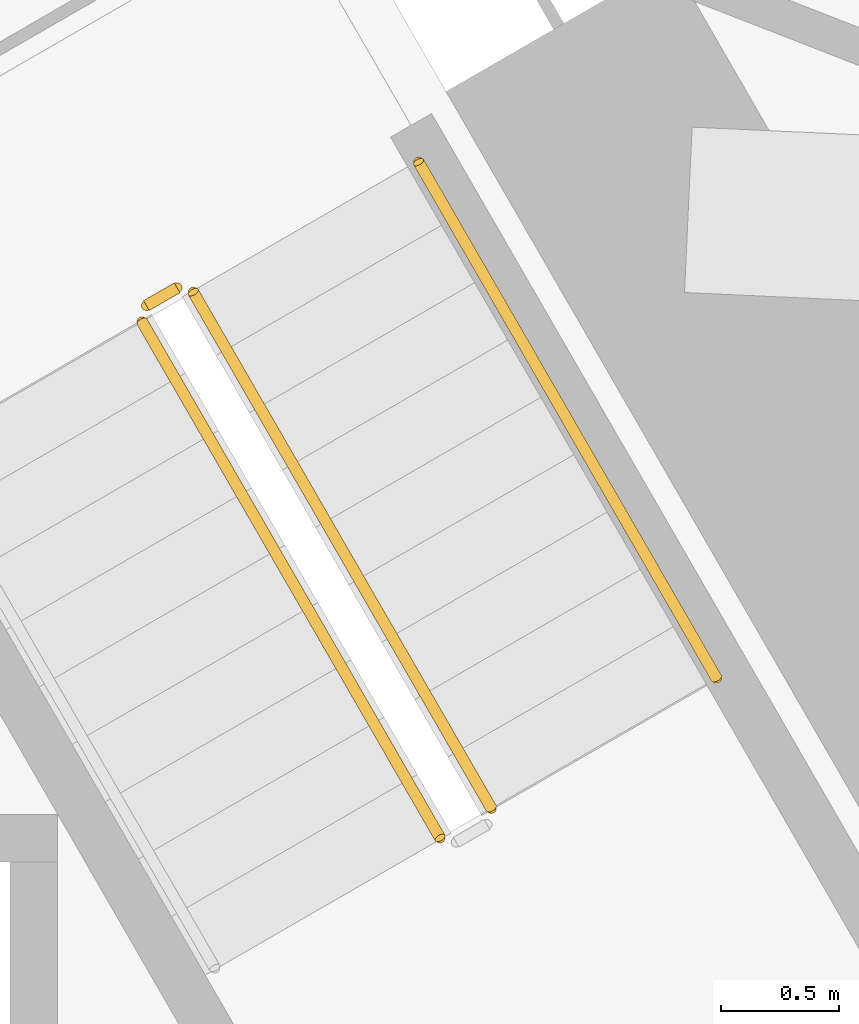
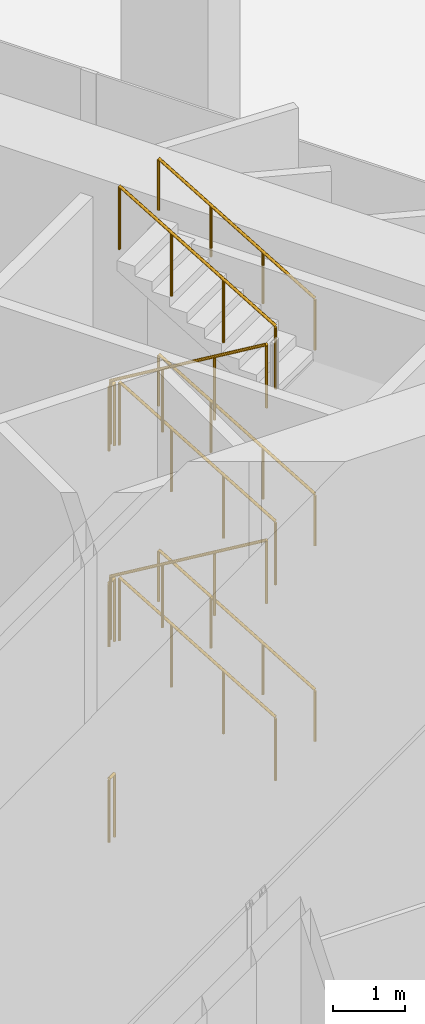
# One storey, part 12 of 13: 11 railings.
"""IFC4 building model written with IfcOpenShell, lengths in metres."""

from ifc_helpers import new_model, si_unit, direction, frame, origin, origin_2d, place, context, subcontext, project, spatial, circle, extrude, material, type_object, element, save


model = new_model("IFC4")

# Units and contexts
model_context = context("Model", 3, precision=1e-05, world=origin(), true_north=direction((0.0, 1.0)))
body_context = subcontext(model_context, "Body", "Model", "MODEL_VIEW")
ifc_project = project(units=[si_unit("LENGTHUNIT", "METRE"), si_unit("AREAUNIT", "SQUARE_METRE"), si_unit("VOLUMEUNIT", "CUBIC_METRE"), si_unit("PLANEANGLEUNIT", "RADIAN"), si_unit("MASSUNIT", "GRAM", prefix="KILO")], contexts=[model_context])

# Site, building, storey
site_placement = place(None, origin())
site = spatial("IfcSite", under=ifc_project, at=site_placement, CompositionType="ELEMENT")
building_placement = place(site_placement, origin())
building = spatial("IfcBuilding", under=site, at=building_placement, Name="Tramontana Tower", CompositionType="ELEMENT")
storey_placement = place(building_placement, origin())
storey = spatial("IfcBuildingStorey", under=building, at=storey_placement, Name="L00", CompositionType="ELEMENT", Elevation=0.0)

# Railings
ifc_material_1 = material(Name="Painted steel", Category="steel")
railing_type_1 = type_object("IfcRailingType", Name="STAIR GUARD 1100", PredefinedType="GUARDRAIL", material=ifc_material_1)
railing_1_placement = place(storey_placement, frame((6.6240234375, -2.873046875, 1.833251953125)))
element("IfcRailing", 1, at=railing_1_placement, inside=storey, type_object=railing_type_1, Name="L00 ST3 stair guard 2", PredefinedType="GUARDRAIL", context=body_context, shape_type="SweptSolid", body=[
    extrude(circle(Radius=0.02392578125, at=origin_2d()), frame((0.0, 0.0, 1.076171875), z_axis=(-0.429650353548, 0.744166733262, 0.51148455187), x_axis=(-0.866022637375, -0.500004791531, 0.0)), (0.0, 0.0, 1.0), 2.9326171875),
    extrude(circle(Radius=0.02099609375, at=origin_2d()), origin(), (0.0, 0.0, 1.0), 1.052001953125),
    extrude(circle(Radius=0.02099609375, at=origin_2d()), frame((-0.419921875, 0.7275390625, 0.5)), (0.0, 0.0, 1.0), 1.052001953125),
    extrude(circle(Radius=0.02099609375, at=origin_2d()), frame((-0.840087890625, 1.454833984375, 1.0)), (0.0, 0.0, 1.0), 1.052001953125),
    extrude(circle(Radius=0.02099609375, at=origin_2d()), frame((-1.260009765625, 2.182373046875, 1.5)), (0.0, 0.0, 1.0), 1.052001953125),
])
railing_2_placement = place(storey_placement, frame((5.1474609375, -0.815673828125, 3.5)))
element("IfcRailing", 2, at=railing_2_placement, inside=storey, type_object=railing_type_1, Name="L00 ST3 stair guard 3", PredefinedType="GUARDRAIL", context=body_context, shape_type="SweptSolid", body=[
    extrude(circle(Radius=0.02392578125, at=origin_2d()), frame((0.0, 0.0, 1.076171875), z_axis=(0.429650353548, -0.744166733262, 0.51148455187), x_axis=(0.866022637375, 0.500004791531, 0.0)), (0.0, 0.0, 1.0), 2.9326171875),
    extrude(circle(Radius=0.02099609375, at=origin_2d()), origin(), (0.0, 0.0, 1.0), 1.052001953125),
    extrude(circle(Radius=0.02099609375, at=origin_2d()), frame((0.419921875, -0.7275390625, 0.5)), (0.0, 0.0, 1.0), 1.052001953125),
    extrude(circle(Radius=0.02099609375, at=origin_2d()), frame((0.840087890625, -1.454833984375, 1.0)), (0.0, 0.0, 1.0), 1.052001953125),
    extrude(circle(Radius=0.02099609375, at=origin_2d()), frame((1.260009765625, -2.182373046875, 1.5)), (0.0, 0.0, 1.0), 1.052001953125),
])
railing_3_placement = place(storey_placement, frame((6.6240234375, -2.873046875, 5.166748046875)))
element("IfcRailing", 3, at=railing_3_placement, inside=storey, type_object=railing_type_1, Name="L00 ST3 stair guard 4", PredefinedType="GUARDRAIL", context=body_context, shape_type="SweptSolid", body=[
    extrude(circle(Radius=0.02392578125, at=origin_2d()), frame((0.0, 0.0, 1.076171875), z_axis=(-0.429650353548, 0.744166733262, 0.51148455187), x_axis=(-0.866022637375, -0.500004791531, 0.0)), (0.0, 0.0, 1.0), 2.9326171875),
    extrude(circle(Radius=0.02099609375, at=origin_2d()), origin(), (0.0, 0.0, 1.0), 1.052001953125),
    extrude(circle(Radius=0.02099609375, at=origin_2d()), frame((-0.419921875, 0.7275390625, 0.5)), (0.0, 0.0, 1.0), 1.052001953125),
    extrude(circle(Radius=0.02099609375, at=origin_2d()), frame((-0.840087890625, 1.454833984375, 1.0)), (0.0, 0.0, 1.0), 1.052001953125),
    extrude(circle(Radius=0.02099609375, at=origin_2d()), frame((-1.260009765625, 2.182373046875, 1.5)), (0.0, 0.0, 1.0), 1.052001953125),
])
railing_4_placement = place(storey_placement, frame((5.1474609375, -0.815673828125, 6.833251953125)))
element("IfcRailing", 4, at=railing_4_placement, inside=storey, type_object=railing_type_1, Name="L00 ST3 stair guard 5", PredefinedType="GUARDRAIL", context=body_context, shape_type="SweptSolid", body=[
    extrude(circle(Radius=0.02392578125, at=origin_2d()), frame((0.0, 0.0, 1.076171875), z_axis=(0.429650353548, -0.744166733262, 0.51148455187), x_axis=(0.866022637375, 0.500004791531, 0.0)), (0.0, 0.0, 1.0), 2.9326171875),
    extrude(circle(Radius=0.02099609375, at=origin_2d()), origin(), (0.0, 0.0, 1.0), 1.052001953125),
    extrude(circle(Radius=0.02099609375, at=origin_2d()), frame((0.419921875, -0.7275390625, 0.5)), (0.0, 0.0, 1.0), 1.052001953125),
    extrude(circle(Radius=0.02099609375, at=origin_2d()), frame((0.840087890625, -1.454833984375, 1.0)), (0.0, 0.0, 1.0), 1.052001953125),
    extrude(circle(Radius=0.02099609375, at=origin_2d()), frame((1.260009765625, -2.182373046875, 1.5)), (0.0, 0.0, 1.0), 1.052001953125),
])
railing_5_placement = place(storey_placement, frame((6.6240234375, -2.873046875, 8.5)))
element("IfcRailing", 5, at=railing_5_placement, inside=storey, type_object=railing_type_1, Name="L00 ST3 stair guard 6", PredefinedType="GUARDRAIL", context=body_context, shape_type="SweptSolid", body=[
    extrude(circle(Radius=0.02392578125, at=origin_2d()), frame((0.0, 0.0, 1.076171875), z_axis=(-0.429650353548, 0.744166733262, 0.51148455187), x_axis=(-0.866022637375, -0.500004791531, 0.0)), (0.0, 0.0, 1.0), 2.9326171875),
    extrude(circle(Radius=0.02099609375, at=origin_2d()), origin(), (0.0, 0.0, 1.0), 1.052001953125),
    extrude(circle(Radius=0.02099609375, at=origin_2d()), frame((-0.419921875, 0.7275390625, 0.5)), (0.0, 0.0, 1.0), 1.052001953125),
    extrude(circle(Radius=0.02099609375, at=origin_2d()), frame((-0.840087890625, 1.454833984375, 1.0)), (0.0, 0.0, 1.0), 1.052001953125),
    extrude(circle(Radius=0.02099609375, at=origin_2d()), frame((-1.260009765625, 2.182373046875, 1.5)), (0.0, 0.0, 1.0), 1.052001953125),
])
for number, where, name in (
    (6, (5.165771484375, -0.747314453125, 3.333251953125), "L00 ST3 stair guard 8"),
    (7, (5.165771484375, -0.747314453125, 6.666748046875), "L00 ST3 stair guard 10"),
    (8, (5.165771484375, -0.747314453125, 0.0), "L00 ST3 stair guard 12"),
):
    element("IfcRailing", number, at=place(storey_placement, frame(where)), inside=storey, type_object=railing_type_1, Name=name, PredefinedType="GUARDRAIL", context=body_context, shape_type="SweptSolid", body=[
        extrude(circle(Radius=0.02392578125, at=origin_2d()), frame((0.0, 0.0, 1.076171875), z_axis=(0.866131372301, 0.499816412211, 0.0), x_axis=(-0.499816412211, 0.866131372301, 0.0)), (0.0, 0.0, 1.0), 0.14990234375),
        extrude(circle(Radius=0.02099609375, at=origin_2d()), origin(), (0.0, 0.0, 1.0), 1.052001953125),
        extrude(circle(Radius=0.02099609375, at=origin_2d()), frame((0.1298828125, 0.074951171875, 0.0)), (0.0, 0.0, 1.0), 1.052001953125),
    ])
ifc_material_2 = material(Name="Painted steel", Category="steel")
railing_type_2 = type_object("IfcRailingType", Name="STAIR HANDRAIL 900", PredefinedType="HANDRAIL", material=ifc_material_2)
for number, where, name in (
    (9, (7.576416015625, -2.322998046875, 1.833251953125), "L00 ST3 stair handrail 2"),
    (10, (7.576416015625, -2.322998046875, 5.166748046875), "L00 ST3 stair handrail 4"),
    (11, (7.576416015625, -2.322998046875, 8.5), "L00 ST3 stair handrail 6"),
):
    element("IfcRailing", number, at=place(storey_placement, frame(where)), inside=storey, type_object=railing_type_2, Name=name, PredefinedType="HANDRAIL", context=body_context, shape_type="SweptSolid", body=[
        extrude(circle(Radius=0.02392578125, at=origin_2d()), frame((0.0, 0.0, 0.8759765625), z_axis=(-0.429582468266, 0.74419334958, 0.511502845935), x_axis=(-0.866064587494, -0.499932125682, 0.0)), (0.0, 0.0, 1.0), 2.9326171875),
        extrude(circle(Radius=0.02099609375, at=origin_2d()), origin(), (0.0, 0.0, 1.0), 0.851806640625),
        extrude(circle(Radius=0.02099609375, at=origin_2d()), frame((-0.419921875, 0.7275390625, 0.5)), (0.0, 0.0, 1.0), 0.851806640625),
        extrude(circle(Radius=0.02099609375, at=origin_2d()), frame((-0.83984375, 1.454833984375, 1.0)), (0.0, 0.0, 1.0), 0.851806640625),
        extrude(circle(Radius=0.02099609375, at=origin_2d()), frame((-1.259765625, 2.182373046875, 1.5)), (0.0, 0.0, 1.0), 0.851806640625),
    ])

save(model, "model.ifc")
